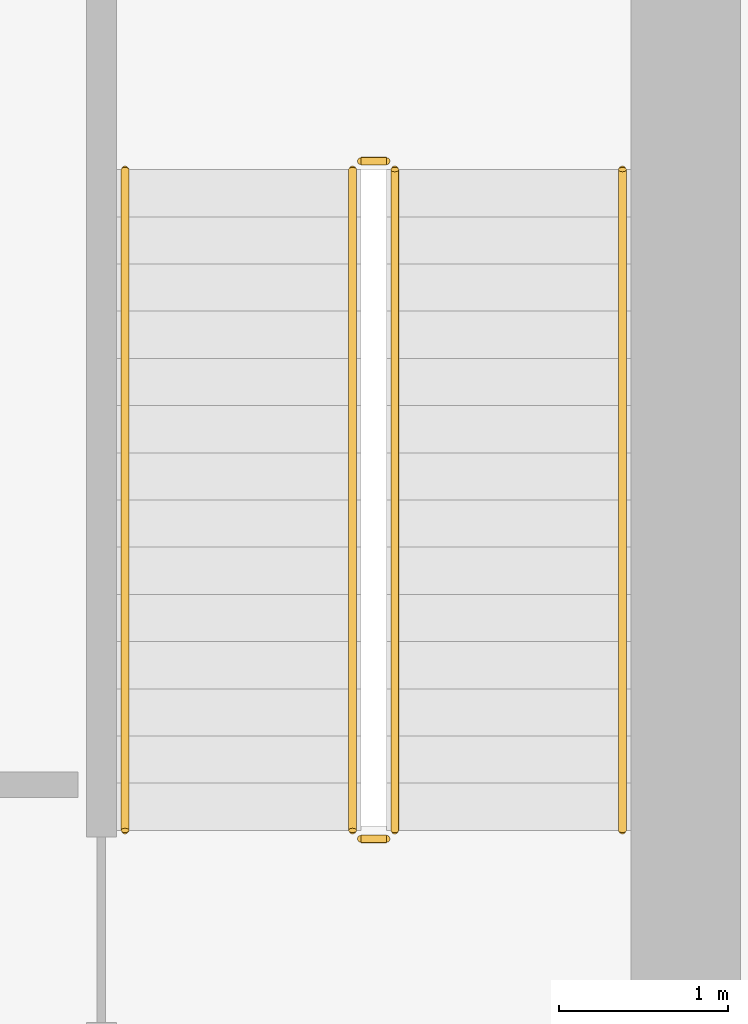
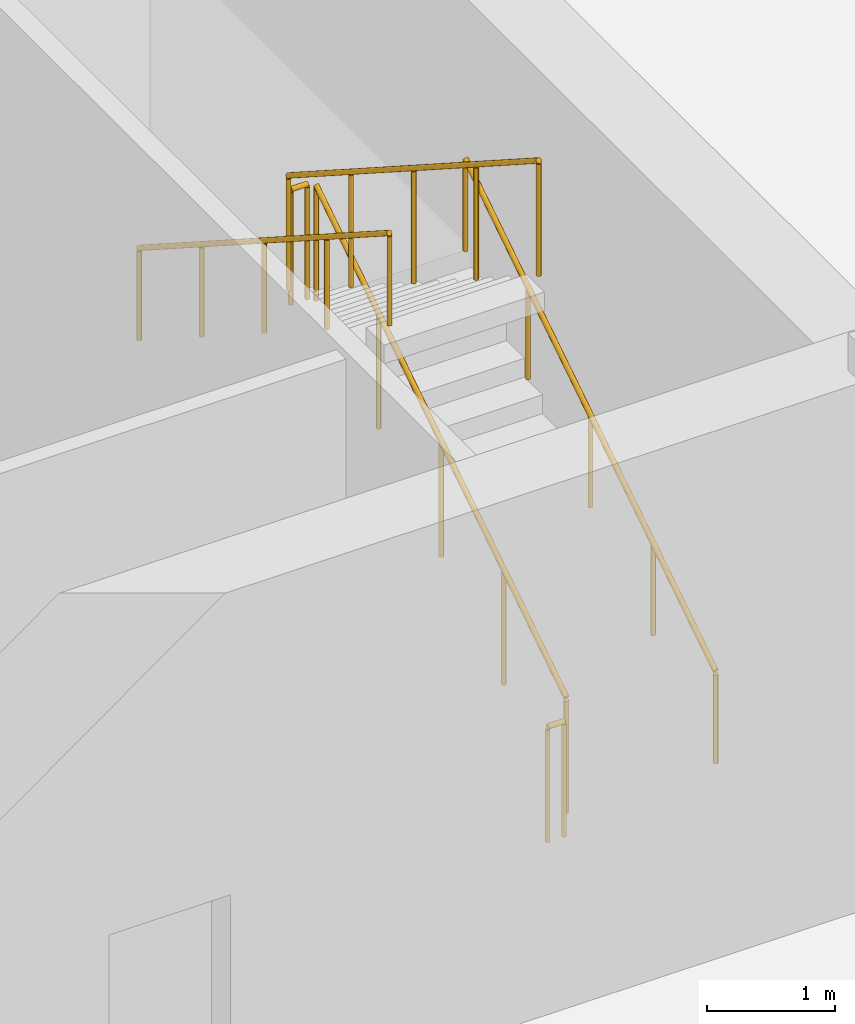
# One storey, part 13 of 14: 6 railings.
"""IFC4 building model written with IfcOpenShell, lengths in metres."""

from ifc_helpers import new_model, si_unit, direction, frame, origin, origin_2d, place, context, subcontext, project, spatial, circle, extrude, material, type_object, element, save


model = new_model("IFC4")

# Units and contexts
model_context = context("Model", 3, precision=1e-05, world=origin(), true_north=direction((0.0, 1.0)))
body_context = subcontext(model_context, "Body", "Model", "MODEL_VIEW")
ifc_project = project(units=[si_unit("LENGTHUNIT", "METRE"), si_unit("AREAUNIT", "SQUARE_METRE"), si_unit("VOLUMEUNIT", "CUBIC_METRE"), si_unit("PLANEANGLEUNIT", "RADIAN"), si_unit("MASSUNIT", "GRAM", prefix="KILO")], contexts=[model_context])

# Site, building, storey
site_placement = place(None, origin())
site = spatial("IfcSite", under=ifc_project, at=site_placement, CompositionType="ELEMENT")
building_placement = place(site_placement, origin())
building = spatial("IfcBuilding", under=site, at=building_placement, Name="Saevonmaru Cultural Tower", CompositionType="ELEMENT")
storey_placement = place(building_placement, frame((0.0, 0.0, -5.39990234375)))
storey = spatial("IfcBuildingStorey", under=building, at=storey_placement, Name="B1", CompositionType="ELEMENT", Elevation=-5.39990234375)

# Railings
ifc_material_1 = material(Name="Architectural Painted Steel", Category="steel")
railing_type_1 = type_object("IfcRailingType", Name="RL-STAIR-GUARD", PredefinedType="GUARDRAIL", material=ifc_material_1)
railing_1_placement = place(storey_placement, frame((44.39990234375, 44.85009765625, 0.179931640625)))
element("IfcRailing", 1, at=railing_1_placement, inside=storey, type_object=railing_type_1, Name="B1 ST-2 stair guard 1", PredefinedType="GUARDRAIL", context=body_context, shape_type="SweptSolid", body=[
    extrude(circle(Radius=0.02392578125, at=origin_2d()), frame((0.0, 0.0, 1.09619140625), z_axis=(0.0, 0.841171666519, 0.540768182723), x_axis=(-1.0, 0.0, 0.0)), (0.0, 0.0, 1.0), 4.66015625),
    extrude(circle(Radius=0.02099609375, at=origin_2d()), origin(), (0.0, 0.0, 1.0), 1.072021484375),
    extrude(circle(Radius=0.02099609375, at=origin_2d()), frame((0.0, 0.97998046875, 0.6298828125)), (0.0, 0.0, 1.0), 1.072021484375),
    extrude(circle(Radius=0.02099609375, at=origin_2d()), frame((0.0, 1.9599609375, 1.260009765625)), (0.0, 0.0, 1.0), 1.072021484375),
    extrude(circle(Radius=0.02099609375, at=origin_2d()), frame((0.0, 2.93994140625, 1.89013671875)), (0.0, 0.0, 1.0), 1.072021484375),
    extrude(circle(Radius=0.02099609375, at=origin_2d()), frame((0.0, 3.919921875, 2.52001953125)), (0.0, 0.0, 1.0), 1.072021484375),
])
railing_2_placement = place(storey_placement, frame((44.35009765625, 48.820068359375, 2.699951171875)))
element("IfcRailing", 2, at=railing_2_placement, inside=storey, type_object=railing_type_1, Name="B1 ST-2 stair guard 2", PredefinedType="GUARDRAIL", context=body_context, shape_type="SweptSolid", body=[
    extrude(circle(Radius=0.02392578125, at=origin_2d()), frame((0.0, 0.0, 1.09619140625), z_axis=(-1.0, 0.0, 0.0), x_axis=(0.0, -1.0, 0.0)), (0.0, 0.0, 1.0), 0.150146484375),
    extrude(circle(Radius=0.02099609375, at=origin_2d()), origin(), (0.0, 0.0, 1.0), 1.072021484375),
    extrude(circle(Radius=0.02099609375, at=origin_2d()), frame((-0.150146484375, 0.0, 0.0)), (0.0, 0.0, 1.0), 1.072021484375),
])
railing_3_placement = place(storey_placement, frame((44.14990234375, 48.77001953125, 2.8798828125)))
element("IfcRailing", 3, at=railing_3_placement, inside=storey, type_object=railing_type_1, Name="B1 ST-2 stair guard 3", PredefinedType="GUARDRAIL", context=body_context, shape_type="SweptSolid", body=[
    extrude(circle(Radius=0.02392578125, at=origin_2d()), frame((0.0, 0.0, 1.09619140625), z_axis=(0.0, -0.841171666519, 0.540768182723), x_axis=(1.0, 0.0, 0.0)), (0.0, 0.0, 1.0), 4.66015625),
    extrude(circle(Radius=0.02099609375, at=origin_2d()), origin(), (0.0, 0.0, 1.0), 1.072021484375),
    extrude(circle(Radius=0.02099609375, at=origin_2d()), frame((0.0, -0.97998046875, 0.6298828125)), (0.0, 0.0, 1.0), 1.072021484375),
    extrude(circle(Radius=0.02099609375, at=origin_2d()), frame((0.0, -1.9599609375, 1.260009765625)), (0.0, 0.0, 1.0), 1.072021484375),
    extrude(circle(Radius=0.02099609375, at=origin_2d()), frame((0.0, -2.93994140625, 1.89013671875)), (0.0, 0.0, 1.0), 1.072021484375),
    extrude(circle(Radius=0.02099609375, at=origin_2d()), frame((0.0, -3.919921875, 2.52001953125)), (0.0, 0.0, 1.0), 1.072021484375),
])
railing_4_placement = place(storey_placement, frame((44.35009765625, 44.800048828125, 0.0)))
element("IfcRailing", 4, at=railing_4_placement, inside=storey, type_object=railing_type_1, Name="B1 ST-2 stair guard 4", PredefinedType="GUARDRAIL", context=body_context, shape_type="SweptSolid", body=[
    extrude(circle(Radius=0.02392578125, at=origin_2d()), frame((0.0, 0.0, 1.09619140625), z_axis=(-1.0, 0.0, 0.0), x_axis=(0.0, -1.0, 0.0)), (0.0, 0.0, 1.0), 0.150146484375),
    extrude(circle(Radius=0.02099609375, at=origin_2d()), origin(), (0.0, 0.0, 1.0), 1.072021484375),
    extrude(circle(Radius=0.02099609375, at=origin_2d()), frame((-0.150146484375, 0.0, 0.0)), (0.0, 0.0, 1.0), 1.072021484375),
])
ifc_material_2 = material(Name="Satin Bronze Anodised Aluminium", Category="aluminium")
railing_type_2 = type_object("IfcRailingType", Name="RL-STAIR-HANDRAIL", PredefinedType="HANDRAIL", material=ifc_material_2)
railing_5_placement = place(storey_placement, frame((45.75, 44.85009765625, 0.179931640625)))
element("IfcRailing", 5, at=railing_5_placement, inside=storey, type_object=railing_type_2, Name="B1 ST-2 stair handrail 1", PredefinedType="HANDRAIL", context=body_context, shape_type="SweptSolid", body=[
    extrude(circle(Radius=0.02392578125, at=origin_2d()), frame((0.0, 0.0, 0.8759765625), z_axis=(0.0, 0.841171666519, 0.540768182723), x_axis=(-1.0, 0.0, 0.0)), (0.0, 0.0, 1.0), 4.66015625),
    extrude(circle(Radius=0.02099609375, at=origin_2d()), origin(), (0.0, 0.0, 1.0), 0.851806640625),
    extrude(circle(Radius=0.02099609375, at=origin_2d()), frame((0.0, 0.97998046875, 0.6298828125)), (0.0, 0.0, 1.0), 0.851806640625),
    extrude(circle(Radius=0.02099609375, at=origin_2d()), frame((0.0, 1.9599609375, 1.260009765625)), (0.0, 0.0, 1.0), 0.851806640625),
    extrude(circle(Radius=0.02099609375, at=origin_2d()), frame((0.0, 2.93994140625, 1.89013671875)), (0.0, 0.0, 1.0), 0.851806640625),
    extrude(circle(Radius=0.02099609375, at=origin_2d()), frame((0.0, 3.919921875, 2.52001953125)), (0.0, 0.0, 1.0), 0.851806640625),
])
railing_6_placement = place(storey_placement, frame((42.800048828125, 48.77001953125, 2.8798828125)))
element("IfcRailing", 6, at=railing_6_placement, inside=storey, type_object=railing_type_2, Name="B1 ST-2 stair handrail 2", PredefinedType="HANDRAIL", context=body_context, shape_type="SweptSolid", body=[
    extrude(circle(Radius=0.02392578125, at=origin_2d()), frame((0.0, 0.0, 0.8759765625), z_axis=(0.0, -0.841171666519, 0.540768182723), x_axis=(1.0, 0.0, 0.0)), (0.0, 0.0, 1.0), 4.66015625),
    extrude(circle(Radius=0.02099609375, at=origin_2d()), origin(), (0.0, 0.0, 1.0), 0.851806640625),
    extrude(circle(Radius=0.02099609375, at=origin_2d()), frame((0.0, -0.97998046875, 0.6298828125)), (0.0, 0.0, 1.0), 0.851806640625),
    extrude(circle(Radius=0.02099609375, at=origin_2d()), frame((0.0, -1.9599609375, 1.260009765625)), (0.0, 0.0, 1.0), 0.851806640625),
    extrude(circle(Radius=0.02099609375, at=origin_2d()), frame((0.0, -2.93994140625, 1.89013671875)), (0.0, 0.0, 1.0), 0.851806640625),
    extrude(circle(Radius=0.02099609375, at=origin_2d()), frame((0.0, -3.919921875, 2.52001953125)), (0.0, 0.0, 1.0), 0.851806640625),
])

save(model, "model.ifc")
